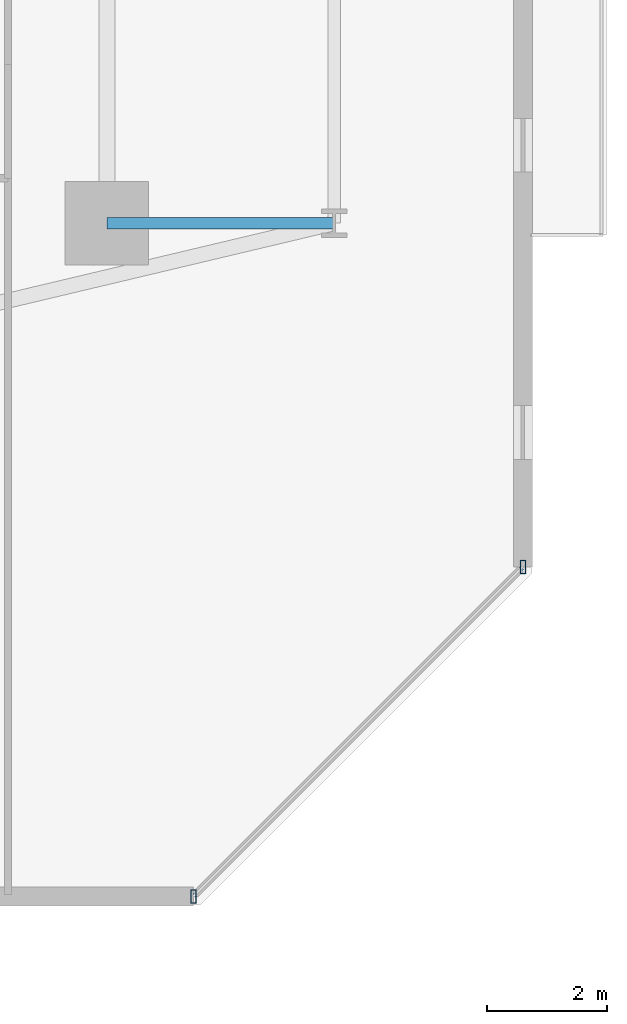
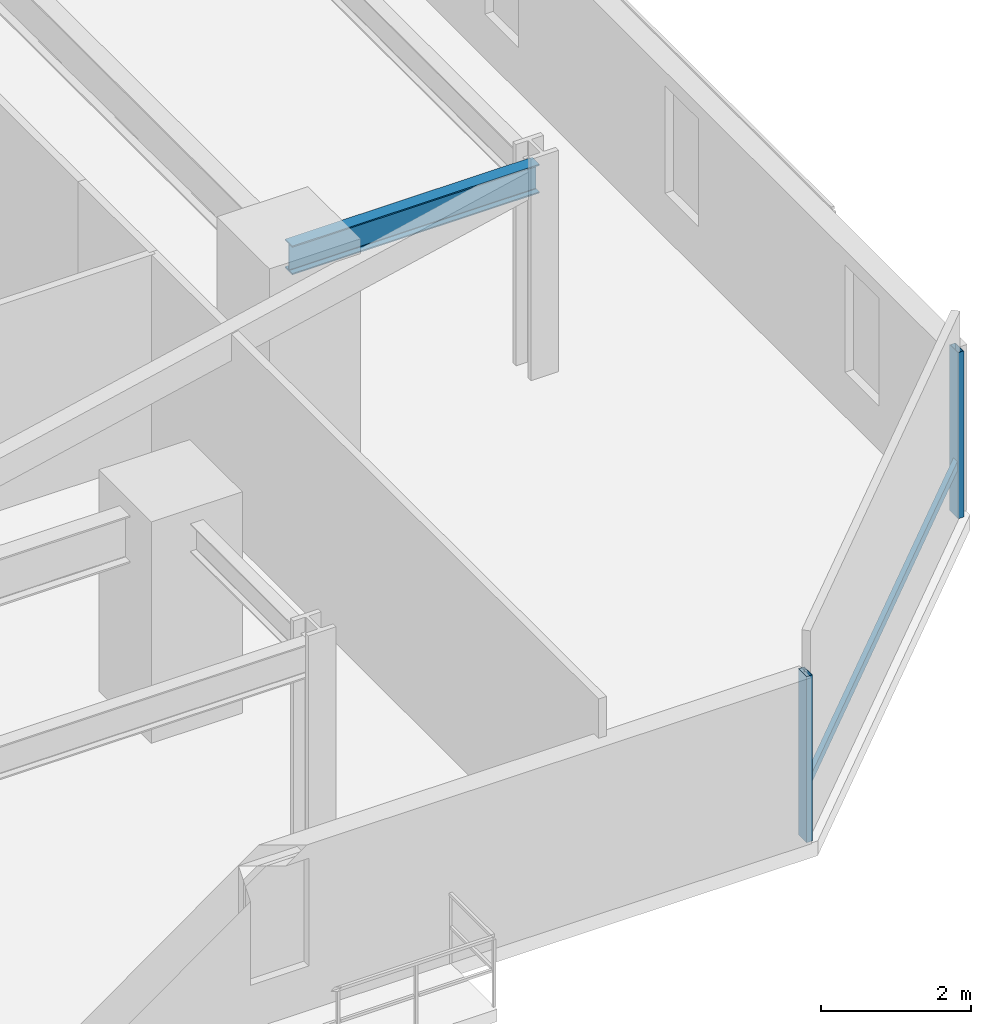
# One storey, part 12 of 33: 3 members, 1 beam, 1 element without a shape of its own.
"""IFC4 building model written with IfcOpenShell, lengths in metres."""

from ifc_helpers import new_model, si_unit, direction, frame, origin, origin_2d, place, context, subcontext, project, spatial, hollow_rectangle, i_section, extrude, material, material_profile, profile_set, type_object, element, aggregate, save


model = new_model("IFC4")

# Units and contexts
model_context = context("Model", 3, precision=1e-05, world=origin(), true_north=direction((0.0, 1.0)))
body_context = subcontext(model_context, "Body", "Model", "MODEL_VIEW")
ifc_project = project(units=[si_unit("LENGTHUNIT", "METRE"), si_unit("AREAUNIT", "SQUARE_METRE"), si_unit("VOLUMEUNIT", "CUBIC_METRE"), si_unit("PLANEANGLEUNIT", "RADIAN"), si_unit("MASSUNIT", "GRAM", prefix="KILO")], contexts=[model_context])

# Site, building, storey
site_placement = place(None, origin())
site = spatial("IfcSite", under=ifc_project, at=site_placement, CompositionType="ELEMENT")
building_placement = place(site_placement, origin())
building = spatial("IfcBuilding", under=site, at=building_placement, Name="Thornwick Lancets Civic Towers", CompositionType="ELEMENT")
storey_placement = place(building_placement, frame((0.0, 0.0, 35.10009765625)))
storey = spatial("IfcBuildingStorey", under=building, at=storey_placement, Name="L08", CompositionType="ELEMENT", Elevation=35.10009765625)

# Beam
ifc_material_1 = material(Name="Steel S355JR", Category="steel")
ifc_material_profile_1 = material_profile(ifc_material_1, i_section(OverallWidth=0.19287109375, OverallDepth=0.46728515625, WebThickness=0.011474609375, FlangeThickness=0.01953125, FilletRadius=0.01025390625, at=origin_2d()), Name="UKB 457x191x98")
ifc_profile_set_1 = profile_set([ifc_material_profile_1], Name="Steel S355JR")
beam_type = type_object("IfcBeamType", Name="BM_JOIST_457_98", PredefinedType="JOIST", material=ifc_profile_set_1)
beam_placement = place(storey_placement, frame((105.800048828125, 14.0, 3.126220703125), z_axis=(1.0, 0.0, 0.0), x_axis=(0.0, 1.0, 0.0)))
element("IfcBeam", 1, at=beam_placement, inside=storey, type_object=beam_type, Name="BM-RAD-L08-B01", PredefinedType="JOIST", context=body_context, shape_type="SweptSolid", body=[
    extrude(i_section(OverallWidth=0.19287109375, OverallDepth=0.46728515625, WebThickness=0.011474609375, FlangeThickness=0.01953125, FilletRadius=0.01025390625, at=origin_2d()), origin(), (0.0, 0.0, 1.0), 3.800048828125),
])

# Curtain wall, members
ifc_material_2 = material(Name="Low-zone chamfered-corner unitised glass curtain wall", Category="glass")
curtain_wall_type = type_object("IfcCurtainWallType", Name="CW_SYS_03", PredefinedType="NOTDEFINED", material=ifc_material_2)
curtain_wall_placement = place(storey_placement, origin())
curtain_wall = element("IfcCurtainWall", 2, at=curtain_wall_placement, inside=storey, type_object=curtain_wall_type, Name="L08 Curtain Wall CW-L08-B-E1", PredefinedType="NOTDEFINED")
ifc_material_3 = material(Name="Thermally broken bronze aluminium S355", Category="steel")
ifc_material_profile_2 = material_profile(ifc_material_3, hollow_rectangle(XDim=0.090087890625, YDim=0.219970703125, WallThickness=0.00634765625, at=origin_2d()), Name="RHS 220x90x6.3")
ifc_profile_set_2 = profile_set([ifc_material_profile_2], Name="Thermally broken bronze aluminium S355")
member_type_1 = type_object("IfcMemberType", Name="CW_MUL_220", PredefinedType="MULLION", material=ifc_profile_set_2)
member_1_placement = place(storey_placement, frame((107.247802734375, 2.74462890625, 0.0), z_axis=(0.0, 0.0, 1.0), x_axis=(1.0, 0.0, 0.0)))
member_1 = element("IfcMember", 3, at=member_1_placement, type_object=member_type_1, Name="CW-L08-B-E1 Mullion 0", PredefinedType="MULLION", context=body_context, shape_type="SweptSolid", body=[
    extrude(hollow_rectangle(XDim=0.090087890625, YDim=0.219970703125, WallThickness=0.00634765625, at=origin_2d()), origin(), (0.0, 0.0, 1.0), 2.699951171875),
])
member_2_placement = place(storey_placement, frame((112.75537109375, 8.252197265625, 0.0), z_axis=(0.0, 0.0, 1.0), x_axis=(1.0, 0.0, 0.0)))
member_2 = element("IfcMember", 4, at=member_2_placement, type_object=member_type_1, Name="CW-L08-B-E1 Mullion 1", PredefinedType="MULLION", context=body_context, shape_type="SweptSolid", body=[
    extrude(hollow_rectangle(XDim=0.090087890625, YDim=0.219970703125, WallThickness=0.00634765625, at=origin_2d()), origin(), (0.0, 0.0, 1.0), 2.699951171875),
])
ifc_material_profile_3 = material_profile(ifc_material_3, hollow_rectangle(XDim=0.074951171875, YDim=0.14990234375, WallThickness=0.0048828125, at=origin_2d()), Name="RHS 150x75x5")
ifc_profile_set_3 = profile_set([ifc_material_profile_3], Name="Thermally broken bronze aluminium S355")
member_type_2 = type_object("IfcMemberType", Name="CW_TRN_150", PredefinedType="USERDEFINED", material=ifc_profile_set_3)
member_3_placement = place(storey_placement, frame((107.261962890625, 2.7587890625, 0.849853515625), z_axis=(0.707106781187, 0.707106781187, 0.0), x_axis=(-0.707106781187, 0.707106781187, 0.0)))
member_3 = element("IfcMember", 5, at=member_3_placement, type_object=member_type_2, Name="CW-L08-B-E1 Transom 0", ObjectType="TRANSOM", PredefinedType="USERDEFINED", context=body_context, shape_type="SweptSolid", body=[
    extrude(hollow_rectangle(XDim=0.074951171875, YDim=0.14990234375, WallThickness=0.0048828125, at=origin_2d()), origin(), (0.0, 0.0, 1.0), 7.748779296875),
])
aggregate(curtain_wall, [member_1, member_2, member_3])

save(model, "model.ifc")
